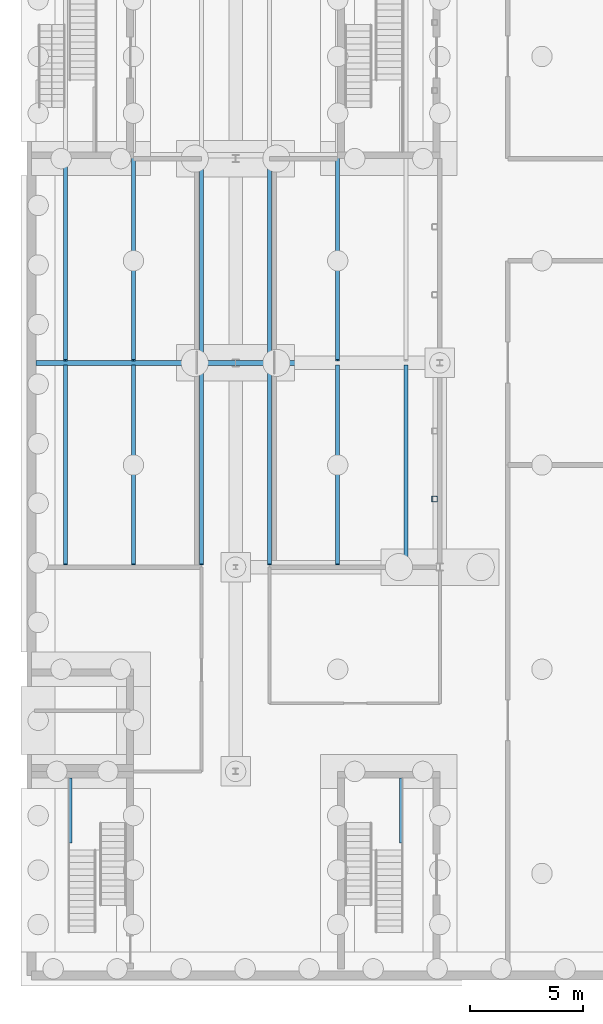
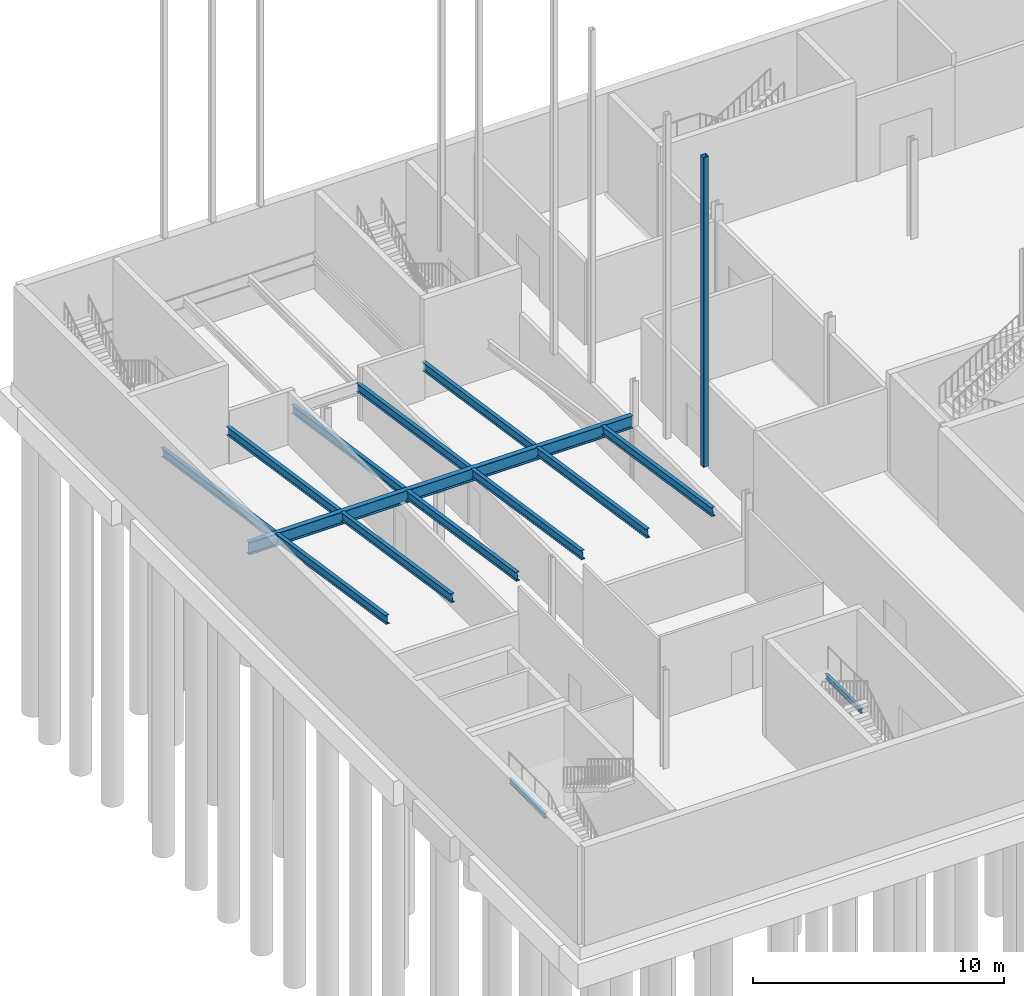
# One storey, part 8 of 31: 14 beams, 1 member.
"""IFC4 building model written with IfcOpenShell, lengths in metres."""

from ifc_helpers import new_model, si_unit, direction, frame, origin, origin_2d, place, context, subcontext, project, spatial, hollow_rectangle, i_section, extrude, material, material_profile, profile_set, type_object, element, save


model = new_model("IFC4")

# Units and contexts
model_context = context("Model", 3, precision=1e-05, world=origin(), true_north=direction((0.0, 1.0)))
body_context = subcontext(model_context, "Body", "Model", "MODEL_VIEW")
ifc_project = project(units=[si_unit("LENGTHUNIT", "METRE"), si_unit("AREAUNIT", "SQUARE_METRE"), si_unit("VOLUMEUNIT", "CUBIC_METRE"), si_unit("PLANEANGLEUNIT", "RADIAN"), si_unit("MASSUNIT", "GRAM", prefix="KILO")], contexts=[model_context])

# Site, building, storey
site_placement = place(None, origin())
site = spatial("IfcSite", under=ifc_project, at=site_placement, CompositionType="ELEMENT")
building_placement = place(site_placement, origin())
building = spatial("IfcBuilding", under=site, at=building_placement, Name="Halyard Row Museum", CompositionType="ELEMENT")
storey_placement = place(building_placement, frame((0.0, 0.0, -4.800048828125)))
storey = spatial("IfcBuildingStorey", under=building, at=storey_placement, Name="B1", CompositionType="ELEMENT", Elevation=-4.800048828125)

# Member
ifc_material_1 = material(Name="Steel Grade C350L0", Category="steel")
ifc_material_profile_1 = material_profile(ifc_material_1, hollow_rectangle(XDim=0.25, YDim=0.25, WallThickness=0.012451171875, InnerFilletRadius=0.018798828125, OuterFilletRadius=0.03125, at=origin_2d()), Name="250x250x12.5SHS")
ifc_profile_set_1 = profile_set([ifc_material_profile_1], Name="Steel Grade C350L0")
member_type = type_object("IfcMemberType", Name="Acoustic wall post 250x250x12.5SHS", PredefinedType="POST", material=ifc_profile_set_1)
member_placement = place(storey_placement, frame((17.76953125, 21.0, 4.35009765625), z_axis=(0.0, 0.0, 1.0), x_axis=(1.0, 0.0, 0.0)))
element("IfcMember", 1, at=member_placement, inside=storey, type_object=member_type, Name="Acoustic post east wall y 21", PredefinedType="POST", context=body_context, shape_type="SweptSolid", body=[
    extrude(hollow_rectangle(XDim=0.25, YDim=0.25, WallThickness=0.012451171875, InnerFilletRadius=0.018798828125, OuterFilletRadius=0.03125, at=origin_2d()), origin(), (0.0, 0.0, 1.0), 15.08056640625),
])

# Beams
ifc_material_2 = material(Name="Steel Grade 300", Category="steel")
ifc_material_profile_2 = material_profile(ifc_material_2, i_section(OverallWidth=0.177978515625, OverallDepth=0.402587890625, WebThickness=0.007568359375, FlangeThickness=0.010986328125, FilletRadius=0.011474609375, at=origin_2d()), Name="410UB53.7")
ifc_profile_set_2 = profile_set([ifc_material_profile_2], Name="Steel Grade 300")
beam_type_1 = type_object("IfcBeamType", Name="Frame beam 410UB53.7 span 1", PredefinedType="BEAM", material=ifc_profile_set_2)
for number, where, z_axis, x_axis, name in (
    (2, (1.5, 18.114013671875, 4.276123046875), (0.0, 0.988934333908, -0.148353912045), (-1.0, 0.0, 0.0), "Rake beam x 1.5 span 1"),
    (3, (4.5, 18.114013671875, 4.276123046875), (0.0, 0.988934333908, -0.148353912045), (-1.0, 0.0, 0.0), "Rake beam x 4.5 span 1"),
    (4, (7.5, 18.114013671875, 4.276123046875), (0.0, 0.988934333908, -0.148353912045), (-1.0, 0.0, 0.0), "Rake beam x 7.5 span 1"),
    (5, (10.5, 18.114013671875, 4.276123046875), (0.0, 0.988934333908, -0.148353912045), (-1.0, 0.0, 0.0), "Rake beam x 10.5 span 1"),
    (6, (13.5, 18.114013671875, 4.276123046875), (0.0, 0.988934333908, -0.148353912045), (-1.0, 0.0, 0.0), "Rake beam x 13.5 span 1"),
    (7, (16.5, 18.114013671875, 4.276123046875), (0.0, 0.988934333908, -0.148353912045), (-1.0, 0.0, 0.0), "Rake beam x 16.5 span 1"),
):
    element("IfcBeam", number, at=place(storey_placement, frame(where, z_axis=z_axis, x_axis=x_axis)), inside=storey, type_object=beam_type_1, Name=name, PredefinedType="BEAM", context=body_context, shape_type="SweptSolid", body=[
        extrude(i_section(OverallWidth=0.177978515625, OverallDepth=0.402587890625, WebThickness=0.007568359375, FlangeThickness=0.010986328125, FilletRadius=0.011474609375, at=origin_2d()), origin(), (0.0, 0.0, 1.0), 8.8701171875),
    ])
ifc_material_3 = material(Name="Steel Grade 300", Category="steel")
ifc_material_profile_3 = material_profile(ifc_material_3, i_section(OverallWidth=0.177978515625, OverallDepth=0.402587890625, WebThickness=0.007568359375, FlangeThickness=0.010986328125, FilletRadius=0.011474609375, at=origin_2d()), Name="410UB53.7")
ifc_profile_set_3 = profile_set([ifc_material_profile_3], Name="Steel Grade 300")
beam_type_2 = type_object("IfcBeamType", Name="Frame beam 410UB53.7 span 2", PredefinedType="BEAM", material=ifc_profile_set_3)
for number, where, z_axis, x_axis, name in (
    (8, (1.5, 27.114013671875, 2.926025390625), (0.0, 0.989077252695, -0.14739806037), (-1.0, 0.0, 0.0), "Rake beam x 1.5 span 2"),
    (9, (4.5, 27.114013671875, 2.926025390625), (0.0, 0.989077252695, -0.14739806037), (-1.0, 0.0, 0.0), "Rake beam x 4.5 span 2"),
    (10, (7.5, 27.114013671875, 2.926025390625), (0.0, 0.989077252695, -0.14739806037), (-1.0, 0.0, 0.0), "Rake beam x 7.5 span 2"),
    (11, (10.5, 27.114013671875, 2.926025390625), (0.0, 0.989077252695, -0.14739806037), (-1.0, 0.0, 0.0), "Rake beam x 10.5 span 2"),
    (12, (13.5, 27.114013671875, 2.926025390625), (0.0, 0.989077252695, -0.14739806037), (-1.0, 0.0, 0.0), "Rake beam x 13.5 span 2"),
):
    element("IfcBeam", number, at=place(storey_placement, frame(where, z_axis=z_axis, x_axis=x_axis)), inside=storey, type_object=beam_type_2, Name=name, PredefinedType="BEAM", context=body_context, shape_type="SweptSolid", body=[
        extrude(i_section(OverallWidth=0.177978515625, OverallDepth=0.402587890625, WebThickness=0.007568359375, FlangeThickness=0.010986328125, FilletRadius=0.011474609375, at=origin_2d()), origin(), (0.0, 0.0, 1.0), 9.0205078125),
    ])
ifc_material_4 = material(Name="Steel Grade 300", Category="steel")
ifc_material_profile_4 = material_profile(ifc_material_4, i_section(OverallWidth=0.22802734375, OverallDepth=0.60693359375, WebThickness=0.01123046875, FlangeThickness=0.017333984375, FilletRadius=0.013916015625, at=origin_2d()), Name="610UB113")
ifc_profile_set_4 = profile_set([ifc_material_profile_4], Name="Steel Grade 300")
beam_type_3 = type_object("IfcBeamType", Name="Frame girder 610UB113 grid D", PredefinedType="BEAM", material=ifc_profile_set_4)
beam_placement = place(storey_placement, frame((0.199951171875, 27.0, 2.84326171875), z_axis=(1.0, 0.0, 0.0), x_axis=(0.0, 1.0, 0.0)))
element("IfcBeam", 13, at=beam_placement, inside=storey, type_object=beam_type_3, Name="Rake girder y 27", PredefinedType="BEAM", context=body_context, shape_type="SweptSolid", body=[
    extrude(i_section(OverallWidth=0.22802734375, OverallDepth=0.60693359375, WebThickness=0.01123046875, FlangeThickness=0.017333984375, FilletRadius=0.013916015625, at=origin_2d()), origin(), (0.0, 0.0, 1.0), 17.673095703125),
])
ifc_material_5 = material(Name="Steel Grade 300", Category="steel")
ifc_material_profile_5 = material_profile(ifc_material_5, i_section(OverallWidth=0.1240234375, OverallDepth=0.248046875, WebThickness=0.0048828125, FlangeThickness=0.008056640625, FilletRadius=0.011962890625, at=origin_2d()), Name="250UB25.7")
ifc_profile_set_5 = profile_set([ifc_material_profile_5], Name="Steel Grade 300")
beam_type_4 = type_object("IfcBeamType", Name="Landing trimmer 250UB25.7", PredefinedType="BEAM", material=ifc_profile_set_5)
for number, where, z_axis, x_axis, name in (
    (14, (16.278076171875, 8.702880859375, 2.075927734375), (0.0, -1.0, 0.0), (1.0, 0.0, 0.0), "Landing ledger K3E B1 1"),
    (15, (1.721923828125, 8.702880859375, 2.075927734375), (0.0, -1.0, 0.0), (1.0, 0.0, 0.0), "Landing ledger K3S B1 1"),
):
    element("IfcBeam", number, at=place(storey_placement, frame(where, z_axis=z_axis, x_axis=x_axis)), inside=storey, type_object=beam_type_4, Name=name, PredefinedType="BEAM", context=body_context, shape_type="SweptSolid", body=[
        extrude(i_section(OverallWidth=0.1240234375, OverallDepth=0.248046875, WebThickness=0.0048828125, FlangeThickness=0.008056640625, FilletRadius=0.011962890625, at=origin_2d()), origin(), (0.0, 0.0, 1.0), 2.852783203125),
    ])

save(model, "model.ifc")
